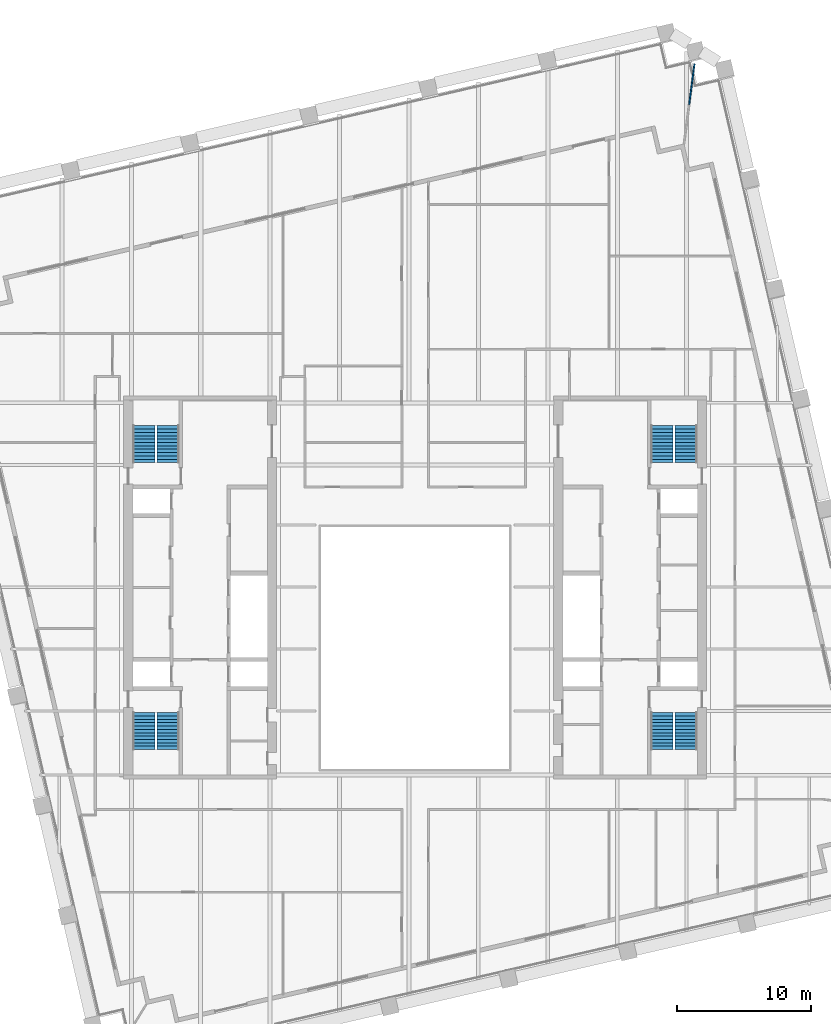
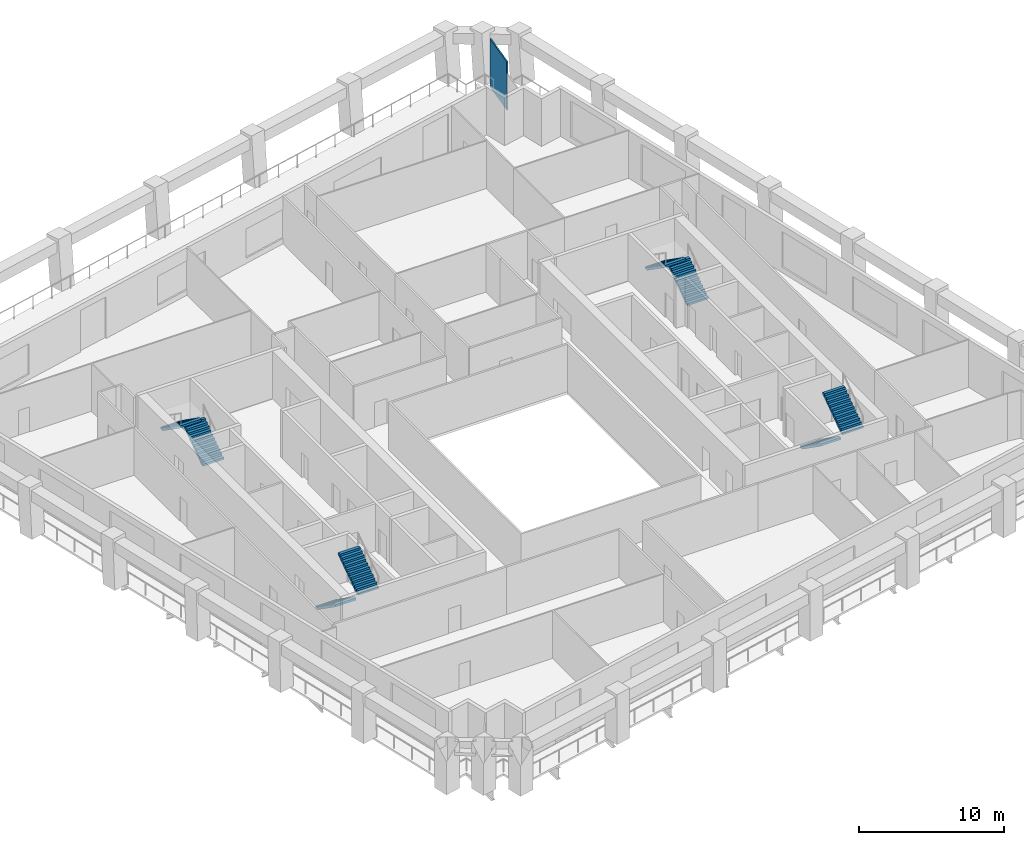
# One storey, part 9 of 11: 8 stair flights, 1 wall, 4 elements without a shape of their own.
"""IFC4 building model written with IfcOpenShell, lengths in metres."""

from ifc_helpers import new_model, si_unit, direction, frame, frame_2d, origin, place, context, subcontext, project, spatial, polyline, rectangle, outline, extrude, material, layer, layer_set, type_object, element, aggregate, save


model = new_model("IFC4")

# Units and contexts
model_context = context("Model", 3, precision=1e-05, world=origin(), true_north=direction((0.0, 1.0)))
body_context = subcontext(model_context, "Body", "Model", "MODEL_VIEW")
ifc_project = project(units=[si_unit("LENGTHUNIT", "METRE"), si_unit("AREAUNIT", "SQUARE_METRE"), si_unit("VOLUMEUNIT", "CUBIC_METRE"), si_unit("PLANEANGLEUNIT", "RADIAN"), si_unit("MASSUNIT", "GRAM", prefix="KILO")], contexts=[model_context])

# Site, building, storey
site_placement = place(None, origin())
site = spatial("IfcSite", under=ifc_project, at=site_placement, CompositionType="ELEMENT")
building_placement = place(site_placement, origin())
building = spatial("IfcBuilding", under=site, at=building_placement, Name="Ogive Exchange Tower", CompositionType="ELEMENT")
storey_placement = place(building_placement, frame((0.0, 0.0, 213.60009765625)))
storey = spatial("IfcBuildingStorey", under=building, at=storey_placement, Name="L47", CompositionType="ELEMENT", Elevation=213.60009765625)

# Wall
ifc_material_1 = material(Name="Laminated safety glass in steel frame", Category="steel")
ifc_layer = layer(ifc_material_1, 0.10009765625)
ifc_layer_set = layer_set([ifc_layer], Name="Loggia end screen 100")
wall_type = type_object("IfcWallType", Name="Loggia end screen 100", PredefinedType="STANDARD", material=ifc_layer_set)
wall_placement = place(storey_placement, frame((20.3935546875, 47.4560546875, -0.050048828125), z_axis=(0.0, 0.0, 1.0), x_axis=(0.129826873355, 0.991536677564, 0.0)))
element("IfcWall", 1, at=wall_placement, inside=storey, type_object=wall_type, Name="Loggia end screen C2", PredefinedType="STANDARD", context=body_context, shape_type="SweptSolid", body=[
    extrude(rectangle(XDim=3.038818359375, YDim=0.10009765625, at=frame_2d((1.51953125, 0.0))), origin(), (0.0, 0.0, 1.0), 4.050048828125),
])

# Stair, stair flights
ifc_material_2 = material(Name="Concrete C40/50", Category="concrete")
stair_type = type_object("IfcStairType", Name="Exit stair 1650 wide", PredefinedType="HALF_TURN_STAIR", material=ifc_material_2)
stair_1_placement = place(storey_placement, origin())
stair_1 = element("IfcStair", 2, at=stair_1_placement, inside=storey, type_object=stair_type, Name="L47 exit stair ST1", PredefinedType="HALF_TURN_STAIR")
stair_flight_type = type_object("IfcStairFlightType", Name="Stair flight 1650 wide", PredefinedType="STRAIGHT", material=ifc_material_2)
stair_flight_1_placement = place(storey_placement, frame((-20.175048828125, 2.199951171875, 0.0), z_axis=(0.0, 0.0, 1.0), x_axis=(0.0, -1.0, 0.0)))
stair_flight_1 = element("IfcStairFlight", 3, at=stair_flight_1_placement, type_object=stair_flight_type, Name="ST1 flight 1", NumberOfRisers=12, NumberOfTreads=11, PredefinedType="STRAIGHT", RiserHeight=0.175, TreadLength=0.25, context=body_context, shape_type="SweptSolid", body=[
    extrude(outline(polyline([(0.0, 0.0), (0.0, 0.175048828125), (0.25, 0.175048828125), (0.25, 0.35009765625), (0.5, 0.35009765625), (0.5, 0.52490234375), (0.75, 0.52490234375), (0.75, 0.699951171875), (1.0, 0.699951171875), (1.0, 0.875), (1.25, 0.875), (1.25, 1.050048828125), (1.5, 1.050048828125), (1.5, 1.22509765625), (1.75, 1.22509765625), (1.75, 1.39990234375), (2.0, 1.39990234375), (2.0, 1.574951171875), (2.25, 1.574951171875), (2.25, 1.75), (2.5, 1.75), (2.5, 1.925048828125), (2.75, 1.925048828125), (2.75, 2.10009765625), (2.75, 1.741943359375), (0.261474609375, 0.0), (0.0, 0.0)])), frame((0.0, 0.824951171875, 0.0), z_axis=(0.0, -1.0, 0.0), x_axis=(1.0, 0.0, 0.0)), (0.0, 0.0, 1.0), 1.64990234375),
])
stair_flight_2_placement = place(storey_placement, frame((-18.375, -0.550048828125, 2.099853515625), z_axis=(0.0, 0.0, 1.0), x_axis=(0.0, 1.0, 0.0)))
stair_flight_2 = element("IfcStairFlight", 4, at=stair_flight_2_placement, type_object=stair_flight_type, Name="ST1 flight 2", NumberOfRisers=12, NumberOfTreads=11, PredefinedType="STRAIGHT", RiserHeight=0.175, TreadLength=0.25, context=body_context, shape_type="SweptSolid", body=[
    extrude(outline(polyline([(0.0, 0.0), (0.0, 0.175048828125), (0.25, 0.175048828125), (0.25, 0.35009765625), (0.5, 0.35009765625), (0.5, 0.52490234375), (0.75, 0.52490234375), (0.75, 0.699951171875), (1.0, 0.699951171875), (1.0, 0.875), (1.25, 0.875), (1.25, 1.050048828125), (1.5, 1.050048828125), (1.5, 1.22509765625), (1.75, 1.22509765625), (1.75, 1.39990234375), (2.0, 1.39990234375), (2.0, 1.574951171875), (2.25, 1.574951171875), (2.25, 1.75), (2.5, 1.75), (2.5, 1.925048828125), (2.75, 1.925048828125), (2.75, 2.10009765625), (2.75, 1.741943359375), (0.261474609375, 0.0), (0.0, 0.0)])), frame((0.0, 0.824951171875, 0.0), z_axis=(0.0, -1.0, 0.0), x_axis=(1.0, 0.0, 0.0)), (0.0, 0.0, 1.0), 1.64990234375),
])
aggregate(stair_1, [stair_flight_1, stair_flight_2])

stair_2_placement = place(storey_placement, origin())
stair_2 = element("IfcStair", 5, at=stair_2_placement, inside=storey, type_object=stair_type, Name="L47 exit stair ST2", PredefinedType="HALF_TURN_STAIR")
stair_flight_3_placement = place(storey_placement, frame((-18.375, 20.800048828125, 0.0), z_axis=(0.0, 0.0, 1.0), x_axis=(0.0, 1.0, 0.0)))
stair_flight_3 = element("IfcStairFlight", 6, at=stair_flight_3_placement, type_object=stair_flight_type, Name="ST2 flight 1", NumberOfRisers=12, NumberOfTreads=11, PredefinedType="STRAIGHT", RiserHeight=0.175, TreadLength=0.25, context=body_context, shape_type="SweptSolid", body=[
    extrude(outline(polyline([(0.0, 0.0), (0.0, 0.175048828125), (0.25, 0.175048828125), (0.25, 0.35009765625), (0.5, 0.35009765625), (0.5, 0.52490234375), (0.75, 0.52490234375), (0.75, 0.699951171875), (1.0, 0.699951171875), (1.0, 0.875), (1.25, 0.875), (1.25, 1.050048828125), (1.5, 1.050048828125), (1.5, 1.22509765625), (1.75, 1.22509765625), (1.75, 1.39990234375), (2.0, 1.39990234375), (2.0, 1.574951171875), (2.25, 1.574951171875), (2.25, 1.75), (2.5, 1.75), (2.5, 1.925048828125), (2.75, 1.925048828125), (2.75, 2.10009765625), (2.75, 1.741943359375), (0.261474609375, 0.0), (0.0, 0.0)])), frame((0.0, 0.824951171875, 0.0), z_axis=(0.0, -1.0, 0.0), x_axis=(1.0, 0.0, 0.0)), (0.0, 0.0, 1.0), 1.64990234375),
])
stair_flight_4_placement = place(storey_placement, frame((-20.175048828125, 23.550048828125, 2.099853515625), z_axis=(0.0, 0.0, 1.0), x_axis=(0.0, -1.0, 0.0)))
stair_flight_4 = element("IfcStairFlight", 7, at=stair_flight_4_placement, type_object=stair_flight_type, Name="ST2 flight 2", NumberOfRisers=12, NumberOfTreads=11, PredefinedType="STRAIGHT", RiserHeight=0.175, TreadLength=0.25, context=body_context, shape_type="SweptSolid", body=[
    extrude(outline(polyline([(0.0, 0.0), (0.0, 0.175048828125), (0.25, 0.175048828125), (0.25, 0.35009765625), (0.5, 0.35009765625), (0.5, 0.52490234375), (0.75, 0.52490234375), (0.75, 0.699951171875), (1.0, 0.699951171875), (1.0, 0.875), (1.25, 0.875), (1.25, 1.050048828125), (1.5, 1.050048828125), (1.5, 1.22509765625), (1.75, 1.22509765625), (1.75, 1.39990234375), (2.0, 1.39990234375), (2.0, 1.574951171875), (2.25, 1.574951171875), (2.25, 1.75), (2.5, 1.75), (2.5, 1.925048828125), (2.75, 1.925048828125), (2.75, 2.10009765625), (2.75, 1.741943359375), (0.261474609375, 0.0), (0.0, 0.0)])), frame((0.0, 0.824951171875, 0.0), z_axis=(0.0, -1.0, 0.0), x_axis=(1.0, 0.0, 0.0)), (0.0, 0.0, 1.0), 1.64990234375),
])
aggregate(stair_2, [stair_flight_3, stair_flight_4])

stair_3_placement = place(storey_placement, origin())
stair_3 = element("IfcStair", 8, at=stair_3_placement, inside=storey, type_object=stair_type, Name="L47 exit stair ST3", PredefinedType="HALF_TURN_STAIR")
stair_flight_5_placement = place(storey_placement, frame((18.375, 2.199951171875, 0.0), z_axis=(0.0, 0.0, 1.0), x_axis=(0.0, -1.0, 0.0)))
stair_flight_5 = element("IfcStairFlight", 9, at=stair_flight_5_placement, type_object=stair_flight_type, Name="ST3 flight 1", NumberOfRisers=12, NumberOfTreads=11, PredefinedType="STRAIGHT", RiserHeight=0.175, TreadLength=0.25, context=body_context, shape_type="SweptSolid", body=[
    extrude(outline(polyline([(0.0, 0.0), (0.0, 0.175048828125), (0.25, 0.175048828125), (0.25, 0.35009765625), (0.5, 0.35009765625), (0.5, 0.52490234375), (0.75, 0.52490234375), (0.75, 0.699951171875), (1.0, 0.699951171875), (1.0, 0.875), (1.25, 0.875), (1.25, 1.050048828125), (1.5, 1.050048828125), (1.5, 1.22509765625), (1.75, 1.22509765625), (1.75, 1.39990234375), (2.0, 1.39990234375), (2.0, 1.574951171875), (2.25, 1.574951171875), (2.25, 1.75), (2.5, 1.75), (2.5, 1.925048828125), (2.75, 1.925048828125), (2.75, 2.10009765625), (2.75, 1.741943359375), (0.261474609375, 0.0), (0.0, 0.0)])), frame((0.0, 0.824951171875, 0.0), z_axis=(0.0, -1.0, 0.0), x_axis=(1.0, 0.0, 0.0)), (0.0, 0.0, 1.0), 1.64990234375),
])
stair_flight_6_placement = place(storey_placement, frame((20.175048828125, -0.550048828125, 2.099853515625), z_axis=(0.0, 0.0, 1.0), x_axis=(0.0, 1.0, 0.0)))
stair_flight_6 = element("IfcStairFlight", 10, at=stair_flight_6_placement, type_object=stair_flight_type, Name="ST3 flight 2", NumberOfRisers=12, NumberOfTreads=11, PredefinedType="STRAIGHT", RiserHeight=0.175, TreadLength=0.25, context=body_context, shape_type="SweptSolid", body=[
    extrude(outline(polyline([(0.0, 0.0), (0.0, 0.175048828125), (0.25, 0.175048828125), (0.25, 0.35009765625), (0.5, 0.35009765625), (0.5, 0.52490234375), (0.75, 0.52490234375), (0.75, 0.699951171875), (1.0, 0.699951171875), (1.0, 0.875), (1.25, 0.875), (1.25, 1.050048828125), (1.5, 1.050048828125), (1.5, 1.22509765625), (1.75, 1.22509765625), (1.75, 1.39990234375), (2.0, 1.39990234375), (2.0, 1.574951171875), (2.25, 1.574951171875), (2.25, 1.75), (2.5, 1.75), (2.5, 1.925048828125), (2.75, 1.925048828125), (2.75, 2.10009765625), (2.75, 1.741943359375), (0.261474609375, 0.0), (0.0, 0.0)])), frame((0.0, 0.824951171875, 0.0), z_axis=(0.0, -1.0, 0.0), x_axis=(1.0, 0.0, 0.0)), (0.0, 0.0, 1.0), 1.64990234375),
])
aggregate(stair_3, [stair_flight_5, stair_flight_6])

stair_4_placement = place(storey_placement, origin())
stair_4 = element("IfcStair", 11, at=stair_4_placement, inside=storey, type_object=stair_type, Name="L47 exit stair ST4", PredefinedType="HALF_TURN_STAIR")
stair_flight_7_placement = place(storey_placement, frame((20.175048828125, 20.800048828125, 0.0), z_axis=(0.0, 0.0, 1.0), x_axis=(0.0, 1.0, 0.0)))
stair_flight_7 = element("IfcStairFlight", 12, at=stair_flight_7_placement, type_object=stair_flight_type, Name="ST4 flight 1", NumberOfRisers=12, NumberOfTreads=11, PredefinedType="STRAIGHT", RiserHeight=0.175, TreadLength=0.25, context=body_context, shape_type="SweptSolid", body=[
    extrude(outline(polyline([(0.0, 0.0), (0.0, 0.175048828125), (0.25, 0.175048828125), (0.25, 0.35009765625), (0.5, 0.35009765625), (0.5, 0.52490234375), (0.75, 0.52490234375), (0.75, 0.699951171875), (1.0, 0.699951171875), (1.0, 0.875), (1.25, 0.875), (1.25, 1.050048828125), (1.5, 1.050048828125), (1.5, 1.22509765625), (1.75, 1.22509765625), (1.75, 1.39990234375), (2.0, 1.39990234375), (2.0, 1.574951171875), (2.25, 1.574951171875), (2.25, 1.75), (2.5, 1.75), (2.5, 1.925048828125), (2.75, 1.925048828125), (2.75, 2.10009765625), (2.75, 1.741943359375), (0.261474609375, 0.0), (0.0, 0.0)])), frame((0.0, 0.824951171875, 0.0), z_axis=(0.0, -1.0, 0.0), x_axis=(1.0, 0.0, 0.0)), (0.0, 0.0, 1.0), 1.64990234375),
])
stair_flight_8_placement = place(storey_placement, frame((18.375, 23.550048828125, 2.099853515625), z_axis=(0.0, 0.0, 1.0), x_axis=(0.0, -1.0, 0.0)))
stair_flight_8 = element("IfcStairFlight", 13, at=stair_flight_8_placement, type_object=stair_flight_type, Name="ST4 flight 2", NumberOfRisers=12, NumberOfTreads=11, PredefinedType="STRAIGHT", RiserHeight=0.175, TreadLength=0.25, context=body_context, shape_type="SweptSolid", body=[
    extrude(outline(polyline([(0.0, 0.0), (0.0, 0.175048828125), (0.25, 0.175048828125), (0.25, 0.35009765625), (0.5, 0.35009765625), (0.5, 0.52490234375), (0.75, 0.52490234375), (0.75, 0.699951171875), (1.0, 0.699951171875), (1.0, 0.875), (1.25, 0.875), (1.25, 1.050048828125), (1.5, 1.050048828125), (1.5, 1.22509765625), (1.75, 1.22509765625), (1.75, 1.39990234375), (2.0, 1.39990234375), (2.0, 1.574951171875), (2.25, 1.574951171875), (2.25, 1.75), (2.5, 1.75), (2.5, 1.925048828125), (2.75, 1.925048828125), (2.75, 2.10009765625), (2.75, 1.741943359375), (0.261474609375, 0.0), (0.0, 0.0)])), frame((0.0, 0.824951171875, 0.0), z_axis=(0.0, -1.0, 0.0), x_axis=(1.0, 0.0, 0.0)), (0.0, 0.0, 1.0), 1.64990234375),
])
aggregate(stair_4, [stair_flight_7, stair_flight_8])

save(model, "model.ifc")
